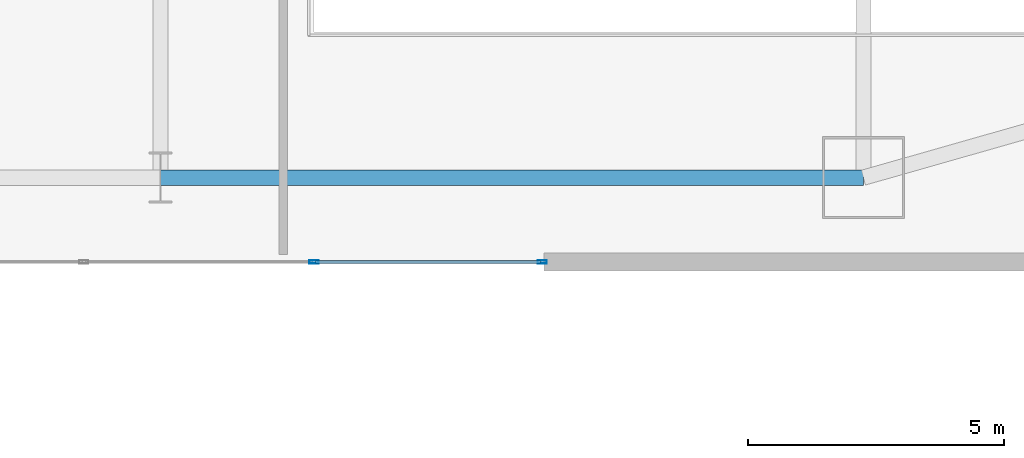
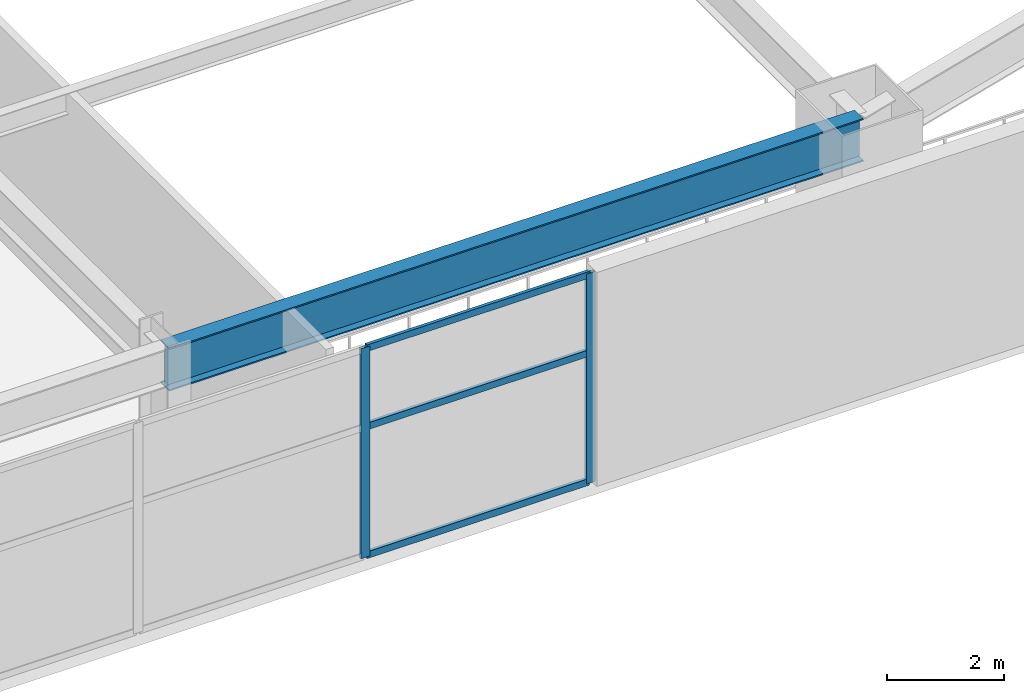
# One storey, part 6 of 25: 5 members, 1 beam, 1 element without a shape of its own.
"""IFC4 building model written with IfcOpenShell, lengths in metres."""

from ifc_helpers import new_model, si_unit, direction, frame, origin, origin_2d, place, context, subcontext, project, spatial, hollow_rectangle, i_section, extrude, material, layer, layer_set, material_profile, profile_set, type_object, element, aggregate, save


model = new_model("IFC4")

# Units and contexts
model_context = context("Model", 3, precision=1e-05, world=origin(), true_north=direction((0.0, 1.0)))
body_context = subcontext(model_context, "Body", "Model", "MODEL_VIEW")
ifc_project = project(units=[si_unit("LENGTHUNIT", "METRE"), si_unit("AREAUNIT", "SQUARE_METRE"), si_unit("VOLUMEUNIT", "CUBIC_METRE"), si_unit("PLANEANGLEUNIT", "RADIAN"), si_unit("MASSUNIT", "GRAM", prefix="KILO")], contexts=[model_context])

# Site, building, storey
site_placement = place(None, origin())
site = spatial("IfcSite", under=ifc_project, at=site_placement, CompositionType="ELEMENT")
building_placement = place(site_placement, origin())
building = spatial("IfcBuilding", under=site, at=building_placement, Name="Haevon Station Towers", CompositionType="ELEMENT")
storey_placement = place(building_placement, frame((0.0, 0.0, 6.0)))
storey = spatial("IfcBuildingStorey", under=building, at=storey_placement, Name="L01", CompositionType="ELEMENT", Elevation=6.0)

# Beam
ifc_material_1 = material(Name="Steel S355", Category="steel")
ifc_material_profile_1 = material_profile(ifc_material_1, i_section(OverallWidth=0.300048828125, OverallDepth=0.89990234375, WebThickness=0.01611328125, FlangeThickness=0.028076171875, at=origin_2d()), Name="H-900x300x16x28")
ifc_profile_set_1 = profile_set([ifc_material_profile_1], Name="Steel S355")
beam_type = type_object("IfcBeamType", Name="BM-PG900", PredefinedType="BEAM", material=ifc_profile_set_1)
beam_placement = place(storey_placement, frame((51.0, 15.14990234375, 4.050048828125), z_axis=(1.0, 0.0, 0.0), x_axis=(0.0, 1.0, 0.0)))
element("IfcBeam", 1, at=beam_placement, inside=storey, type_object=beam_type, Name="BM-T1X-L01-01-06", PredefinedType="BEAM", context=body_context, shape_type="SweptSolid", body=[
    extrude(i_section(OverallWidth=0.300048828125, OverallDepth=0.89990234375, WebThickness=0.01611328125, FlangeThickness=0.028076171875, at=origin_2d()), origin(), (0.0, 0.0, 1.0), 13.75),
])

# Curtain wall, members
ifc_material_2 = material(Name="Anodised aluminium and Low-E double glazing", Category="aluminium")
ifc_layer = layer(ifc_material_2, 0.179931640625)
ifc_layer_set = layer_set([ifc_layer], Name="Anodised aluminium and Low-E double glazing")
curtain_wall_type = type_object("IfcCurtainWallType", Name="CW-SYS1", PredefinedType="NOTDEFINED", material=ifc_layer_set)
curtain_wall_placement = place(storey_placement, origin())
curtain_wall = element("IfcCurtainWall", 2, at=curtain_wall_placement, inside=storey, type_object=curtain_wall_type, Name="L01 Curtain Wall CW-POD-L01-S2", PredefinedType="NOTDEFINED")
ifc_material_3 = material(Name="Anodised aluminium 6063-T6", Category="aluminium")
ifc_material_profile_2 = material_profile(ifc_material_3, hollow_rectangle(XDim=0.06494140625, YDim=0.179931640625, WallThickness=0.00390625, at=origin_2d()), Name="CWM-180x65x4")
ifc_profile_set_2 = profile_set([ifc_material_profile_2], Name="Anodised aluminium 6063-T6")
member_type_1 = type_object("IfcMemberType", Name="CWM-180", PredefinedType="MULLION", material=ifc_profile_set_2)
member_1_placement = place(storey_placement, frame((58.467529296875, 13.5, 0.0), z_axis=(0.0, 0.0, 1.0), x_axis=(0.0, -1.0, 0.0)))
member_1 = element("IfcMember", 3, at=member_1_placement, type_object=member_type_1, Name="CW-SYS1 mullion 1", PredefinedType="MULLION", context=body_context, shape_type="SweptSolid", body=[
    extrude(hollow_rectangle(XDim=0.06494140625, YDim=0.179931640625, WallThickness=0.00390625, at=origin_2d()), origin(), (0.0, 0.0, 1.0), 4.39990234375),
])
member_2_placement = place(storey_placement, frame((54.0, 13.5, 0.0), z_axis=(0.0, 0.0, 1.0), x_axis=(0.0, -1.0, 0.0)))
member_2 = element("IfcMember", 4, at=member_2_placement, type_object=member_type_1, Name="CW-SYS1 mullion 2", PredefinedType="MULLION", context=body_context, shape_type="SweptSolid", body=[
    extrude(hollow_rectangle(XDim=0.06494140625, YDim=0.179931640625, WallThickness=0.00390625, at=origin_2d()), origin(), (0.0, 0.0, 1.0), 4.39990234375),
])
ifc_material_profile_3 = material_profile(ifc_material_3, hollow_rectangle(XDim=0.06494140625, YDim=0.139892578125, WallThickness=0.00341796875, at=origin_2d()), Name="CWT-140x65x3.5")
ifc_profile_set_3 = profile_set([ifc_material_profile_3], Name="Anodised aluminium 6063-T6")
member_type_2 = type_object("IfcMemberType", Name="CWT-140", PredefinedType="USERDEFINED", material=ifc_profile_set_3)
member_3_placement = place(storey_placement, frame((58.43505859375, 13.5, 0.032470703125), z_axis=(-1.0, 0.0, 0.0), x_axis=(0.0, -1.0, 0.0)))
member_3 = element("IfcMember", 5, at=member_3_placement, type_object=member_type_2, Name="CW-SYS1 transom 1.1", ObjectType="TRANSOM", PredefinedType="USERDEFINED", context=body_context, shape_type="SweptSolid", body=[
    extrude(hollow_rectangle(XDim=0.06494140625, YDim=0.139892578125, WallThickness=0.00341796875, at=origin_2d()), origin(), (0.0, 0.0, 1.0), 4.402587890625),
])
member_4_placement = place(storey_placement, frame((58.43505859375, 13.5, 2.72802734375), z_axis=(-1.0, 0.0, 0.0), x_axis=(0.0, -1.0, 0.0)))
member_4 = element("IfcMember", 6, at=member_4_placement, type_object=member_type_2, Name="CW-SYS1 transom 1.2", ObjectType="TRANSOM", PredefinedType="USERDEFINED", context=body_context, shape_type="SweptSolid", body=[
    extrude(hollow_rectangle(XDim=0.06494140625, YDim=0.139892578125, WallThickness=0.00341796875, at=origin_2d()), origin(), (0.0, 0.0, 1.0), 4.402587890625),
])
member_5_placement = place(storey_placement, frame((58.43505859375, 13.5, 4.367431640625), z_axis=(-1.0, 0.0, 0.0), x_axis=(0.0, -1.0, 0.0)))
member_5 = element("IfcMember", 7, at=member_5_placement, type_object=member_type_2, Name="CW-SYS1 transom 1.3", ObjectType="TRANSOM", PredefinedType="USERDEFINED", context=body_context, shape_type="SweptSolid", body=[
    extrude(hollow_rectangle(XDim=0.06494140625, YDim=0.139892578125, WallThickness=0.00341796875, at=origin_2d()), origin(), (0.0, 0.0, 1.0), 4.402587890625),
])
aggregate(curtain_wall, [member_1, member_2, member_3, member_4, member_5])

save(model, "model.ifc")
